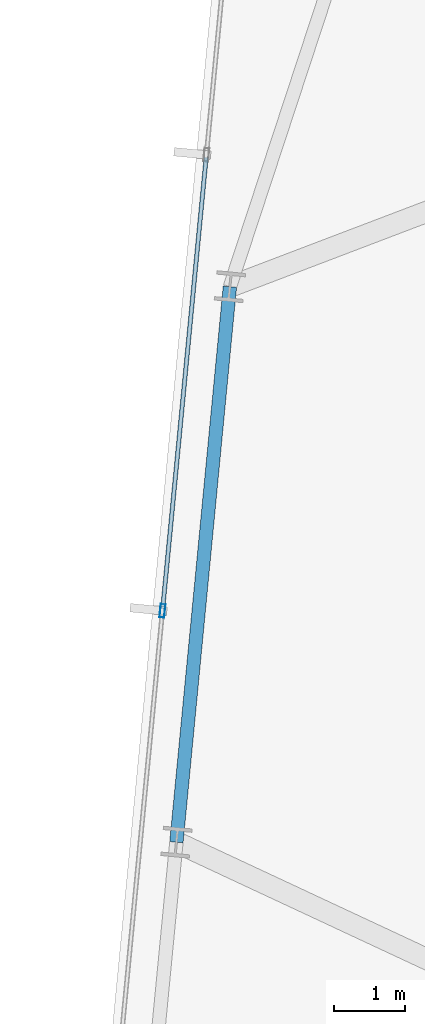
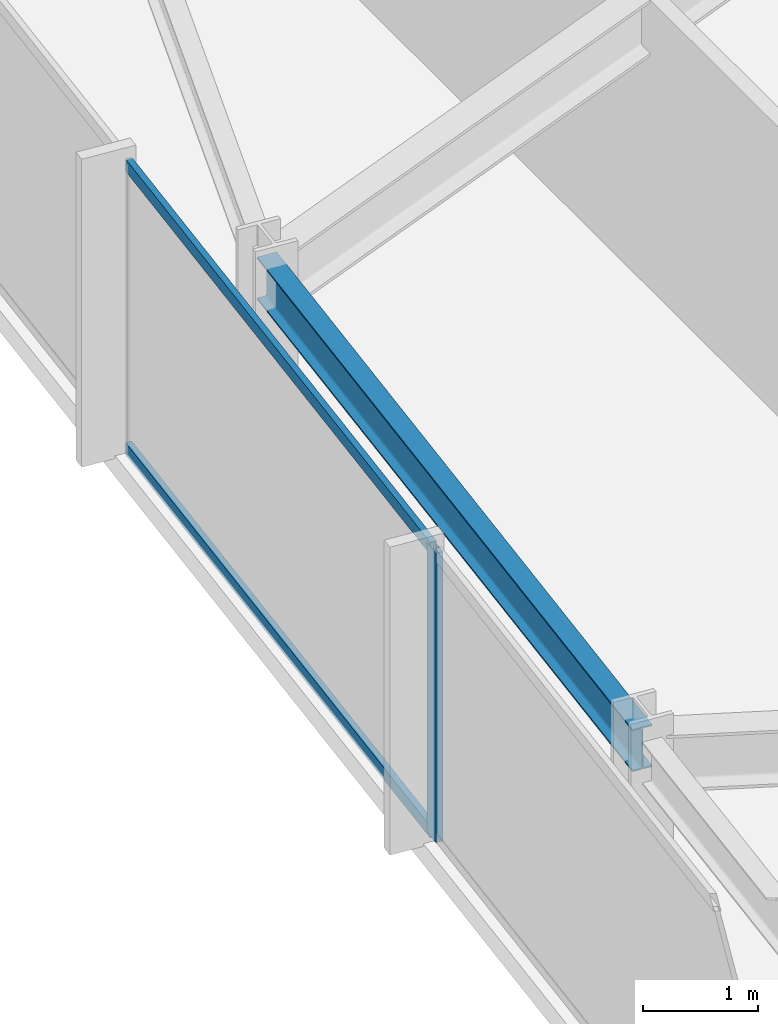
# One storey, part 10 of 38: 3 members, 1 beam, 1 element without a shape of its own.
"""IFC4 building model written with IfcOpenShell, lengths in metres."""

from ifc_helpers import new_model, si_unit, direction, frame, origin, origin_2d, place, context, subcontext, project, spatial, hollow_rectangle, i_section, extrude, material, material_profile, profile_set, type_object, element, aggregate, save


model = new_model("IFC4")

# Units and contexts
model_context = context("Model", 3, precision=1e-05, world=origin(), true_north=direction((0.0, 1.0)))
body_context = subcontext(model_context, "Body", "Model", "MODEL_VIEW")
ifc_project = project(units=[si_unit("LENGTHUNIT", "METRE"), si_unit("AREAUNIT", "SQUARE_METRE"), si_unit("VOLUMEUNIT", "CUBIC_METRE"), si_unit("PLANEANGLEUNIT", "RADIAN"), si_unit("MASSUNIT", "GRAM", prefix="KILO")], contexts=[model_context])

# Site, building, storey
site_placement = place(None, origin())
site = spatial("IfcSite", under=ifc_project, at=site_placement, CompositionType="ELEMENT")
building_placement = place(site_placement, origin())
building = spatial("IfcBuilding", under=site, at=building_placement, Name="Yelkora Congress Tower", CompositionType="ELEMENT")
storey_placement = place(building_placement, frame((0.0, 0.0, 172.10009765625)))
storey = spatial("IfcBuildingStorey", under=building, at=storey_placement, Name="L47", CompositionType="ELEMENT", Elevation=172.10009765625)

# Beam
ifc_material_1 = material(Name="Steel S355J2", Category="steel")
ifc_material_profile_1 = material_profile(ifc_material_1, i_section(OverallWidth=0.18994140625, OverallDepth=0.449951171875, WebThickness=0.009521484375, FlangeThickness=0.0146484375, FilletRadius=0.02099609375, at=origin_2d()), Name="IPE 450")
ifc_profile_set_1 = profile_set([ifc_material_profile_1], Name="Steel S355J2")
beam_type = type_object("IfcBeamType", Name="BM-SPAN-IPE450", PredefinedType="SPANDREL", material=ifc_profile_set_1)
beam_placement = place(storey_placement, frame((4.121826171875, 40.4580078125, 2.85498046875), z_axis=(-0.095864922257, -0.995394352345, 0.0), x_axis=(0.995394352345, -0.095864922257, 0.0)))
element("IfcBeam", 1, at=beam_placement, inside=storey, type_object=beam_type, Name="L47 Perimeter Beam 17", PredefinedType="SPANDREL", context=body_context, shape_type="SweptSolid", body=[
    extrude(i_section(OverallWidth=0.18994140625, OverallDepth=0.449951171875, WebThickness=0.009521484375, FlangeThickness=0.0146484375, FilletRadius=0.02099609375, at=origin_2d()), origin(), (0.0, 0.0, 1.0), 7.89990234375),
])

# Curtain wall, members
ifc_material_2 = material(Name="Anodised aluminium and insulated glass", Category="aluminium")
curtain_wall_type = type_object("IfcCurtainWallType", Name="CW-SYS-B3", PredefinedType="NOTDEFINED", material=ifc_material_2)
curtain_wall_placement = place(storey_placement, origin())
curtain_wall = element("IfcCurtainWall", 2, at=curtain_wall_placement, inside=storey, type_object=curtain_wall_type, Name="L47 Unitised Curtain Wall 5", PredefinedType="NOTDEFINED")
ifc_material_3 = material(Name="Anodised aluminium 6063-T6", Category="aluminium")
ifc_material_profile_2 = material_profile(ifc_material_3, hollow_rectangle(XDim=0.070068359375, YDim=0.18994140625, WallThickness=0.00390625, at=origin_2d()), Name="ALU 70x190x4")
ifc_profile_set_2 = profile_set([ifc_material_profile_2], Name="Anodised aluminium 6063-T6")
member_type_1 = type_object("IfcMemberType", Name="MEM-ML-B3", PredefinedType="MULLION", material=ifc_profile_set_2)
member_1_placement = place(storey_placement, frame((3.167724609375, 35.870361328125, 0.0), z_axis=(0.0, 0.0, 1.0), x_axis=(-0.995396242473, 0.095845294465, 0.0)))
member_1 = element("IfcMember", 3, at=member_1_placement, type_object=member_type_1, Name="CW-B3 mullion 4", PredefinedType="MULLION", context=body_context, shape_type="SweptSolid", body=[
    extrude(hollow_rectangle(XDim=0.070068359375, YDim=0.18994140625, WallThickness=0.00390625, at=origin_2d()), origin(), (0.0, 0.0, 1.0), 3.079833984375),
])
ifc_material_profile_3 = material_profile(ifc_material_3, hollow_rectangle(XDim=0.06005859375, YDim=0.1298828125, WallThickness=0.00390625, at=origin_2d()), Name="ALU 60x130x4")
ifc_profile_set_3 = profile_set([ifc_material_profile_3], Name="Anodised aluminium 6063-T6")
member_type_2 = type_object("IfcMemberType", Name="MEM-TR-B3", PredefinedType="USERDEFINED", material=ifc_profile_set_3)
member_2_placement = place(storey_placement, frame((3.171142578125, 35.9052734375, 0.02978515625), z_axis=(0.095847313538, 0.995396048057, 0.0), x_axis=(-0.995396048057, 0.095847313538, 0.0)))
member_2 = element("IfcMember", 4, at=member_2_placement, type_object=member_type_2, Name="CW-B3 transom 4.1", ObjectType="TRANSOM", PredefinedType="USERDEFINED", context=body_context, shape_type="SweptSolid", body=[
    extrude(hollow_rectangle(XDim=0.06005859375, YDim=0.1298828125, WallThickness=0.00390625, at=origin_2d()), origin(), (0.0, 0.0, 1.0), 6.413818359375),
])
member_3_placement = place(storey_placement, frame((3.171142578125, 35.9052734375, 3.0498046875), z_axis=(0.095847313538, 0.995396048057, 0.0), x_axis=(-0.995396048057, 0.095847313538, 0.0)))
member_3 = element("IfcMember", 5, at=member_3_placement, type_object=member_type_2, Name="CW-B3 transom 4.2", ObjectType="TRANSOM", PredefinedType="USERDEFINED", context=body_context, shape_type="SweptSolid", body=[
    extrude(hollow_rectangle(XDim=0.06005859375, YDim=0.1298828125, WallThickness=0.00390625, at=origin_2d()), origin(), (0.0, 0.0, 1.0), 6.413818359375),
])
aggregate(curtain_wall, [member_1, member_2, member_3])

save(model, "model.ifc")
